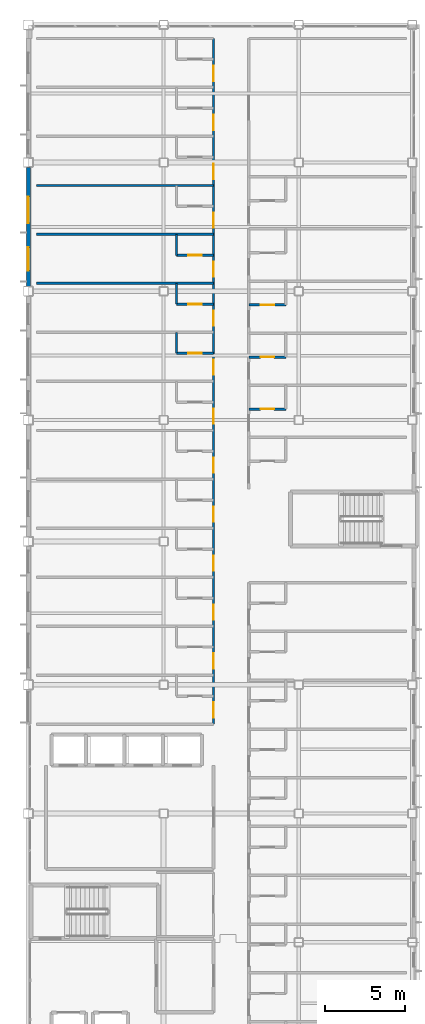
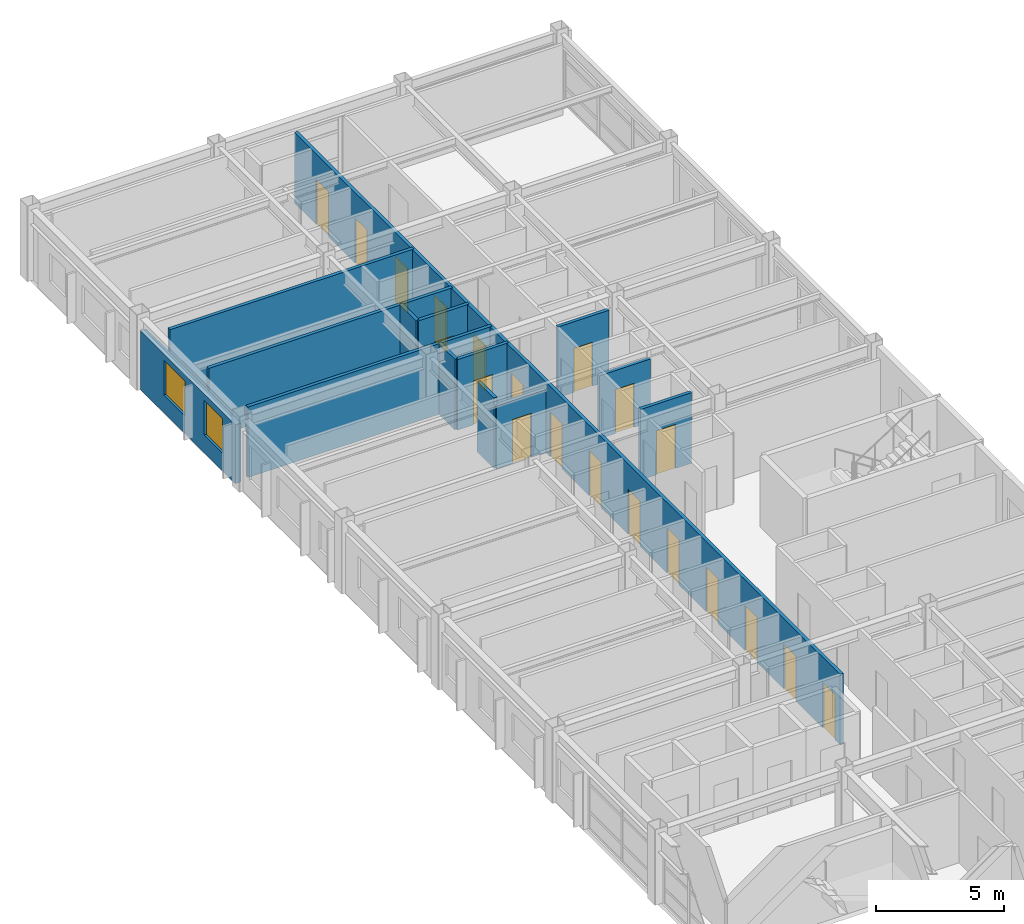
# One storey, part 31 of 38: 20 doors, 14 walls, 2 windows, 22 openings.
"""IFC4 building model written with IfcOpenShell, lengths in metres."""

import ifcopenshell
import ifcopenshell.guid

model = None  # the IFC model being written
_history = None  # IfcOwnerHistory: only IFC2X3 demands one
_inside = {}  # id of a spatial element -> (the spatial element, [elements in it])
_under = {}  # id of a project, library or spatial element -> (it, [spatial elements below it])
_declared = {}  # id of a project -> (the project, [libraries it declares])
_typed = {}  # id of a type object -> (the type object, [elements of that type])
_made_of = {}  # id of a material, layer set ... -> (it, [elements and type objects made of it])


def new_model(schema):
    """Start an empty IFC model of exactly this schema.

    Asked for "IFC4X3", IfcOpenShell would pick the latest addendum, in which some entities
    have other attributes; the version numbers below select the first issue.
    IFC2X3 requires an IfcOwnerHistory on every rooted entity: one is made here for all.
    """
    global model, _history
    if schema == "IFC4X3":
        model = ifcopenshell.file(schema_version=(4, 3, 0, 0))
    else:
        model = ifcopenshell.file(schema=schema)
    _inside.clear()
    _under.clear()
    _declared.clear()
    _typed.clear()
    _made_of.clear()
    _history = None
    if model.schema == "IFC2X3":
        org = make("IfcOrganization", Name="unknown")
        user = make(
            "IfcPersonAndOrganization",
            ThePerson=make("IfcPerson", FamilyName="unknown"),
            TheOrganization=org,
        )
        app = make(
            "IfcApplication",
            ApplicationDeveloper=org,
            Version="unknown",
            ApplicationFullName="unknown",
            ApplicationIdentifier="unknown",
        )
        _history = make(
            "IfcOwnerHistory",
            OwningUser=user,
            OwningApplication=app,
            ChangeAction="ADDED",
            CreationDate=0,
        )
    return model


def make(cls, **values):
    """One entity of the class cls with the attributes given. An attribute that is None is left unset."""
    return model.create_entity(
        cls, **{name: value for name, value in values.items() if value is not None}
    )


def rooted(cls, **values):
    """An entity with a GlobalId (a new one), such as an element, a storey or a relation."""
    return make(cls, GlobalId=ifcopenshell.guid.new(), OwnerHistory=_history, **values)


def si_unit(unit_type, name, prefix=None):
    """IfcSIUnit, for example si_unit("LENGTHUNIT", "METRE", prefix="MILLI")."""
    return make("IfcSIUnit", UnitType=unit_type, Prefix=prefix, Name=name)


def assignment(units):
    """IfcUnitAssignment: the units of a project."""
    return None if units is None else make("IfcUnitAssignment", Units=units)


def point(xyz):
    """IfcCartesianPoint."""
    return None if xyz is None else make("IfcCartesianPoint", Coordinates=xyz)


def direction(xyz):
    """IfcDirection."""
    return None if xyz is None else make("IfcDirection", DirectionRatios=xyz)


def frame(location, z_axis=None, x_axis=None):
    """IfcAxis2Placement3D, a coordinate frame: its origin and axes. An axis left out is left unset."""
    return make(
        "IfcAxis2Placement3D",
        Location=point(location),
        Axis=direction(z_axis),
        RefDirection=direction(x_axis),
    )


def frame_2d(location, x_axis=None):
    """IfcAxis2Placement2D, a coordinate frame in the plane: its origin and x axis."""
    return make(
        "IfcAxis2Placement2D", Location=point(location), RefDirection=direction(x_axis)
    )


def origin():
    """The frame at (0, 0, 0) with its axes left unset."""
    return frame((0.0, 0.0, 0.0))


def place(relative_to, where):
    """IfcLocalPlacement: puts the frame where relative to a parent placement (None: the world)."""
    return make(
        "IfcLocalPlacement", PlacementRelTo=relative_to, RelativePlacement=where
    )


def context(
    kind, dimensions, precision=None, world=None, true_north=None, identifier=None
):
    """IfcGeometricRepresentationContext, for example the 3D "Model" context."""
    return make(
        "IfcGeometricRepresentationContext",
        ContextIdentifier=identifier,
        ContextType=kind,
        CoordinateSpaceDimension=dimensions,
        Precision=precision,
        WorldCoordinateSystem=world,
        TrueNorth=true_north,
    )


def subcontext(parent, identifier, kind, view, scale=None):
    """IfcGeometricRepresentationSubContext, for example "Body" below "Model"."""
    return make(
        "IfcGeometricRepresentationSubContext",
        ContextIdentifier=identifier,
        ContextType=kind,
        ParentContext=parent,
        TargetScale=scale,
        TargetView=view,
    )


def project(units=None, contexts=None):
    """IfcProject with its units and contexts."""
    return rooted(
        "IfcProject",
        Name="project",
        RepresentationContexts=contexts,
        UnitsInContext=assignment(units),
    )


def spatial(cls, under=None, at=None, **own):
    """A site, building, storey or space (cls), placed at a placement, below another one or the project."""
    s = rooted(cls, ObjectPlacement=at, **own)
    if under is not None:
        _under.setdefault(under.id(), (under, []))[1].append(s)
    return s


def profile(cls, at=None, kind="AREA", **sizes):
    """A parametric profile (cls). Its sizes go by their IFC names, for example OverallWidth=200.0."""
    return make(cls, ProfileType=kind, Position=at, **sizes)


def rectangle(**sizes):
    """IfcRectangleProfileDef."""
    return profile("IfcRectangleProfileDef", **sizes)


def extrude(swept, where, along, depth):
    """IfcExtrudedAreaSolid: the profile swept, set in the frame where, extruded along a direction by depth."""
    return make(
        "IfcExtrudedAreaSolid",
        SweptArea=swept,
        Position=where,
        ExtrudedDirection=direction(along),
        Depth=depth,
    )


def shape(context_of_items, identifier, shape_type, items):
    """IfcShapeRepresentation: the items that make up one representation, for example the "Body"."""
    return make(
        "IfcShapeRepresentation",
        ContextOfItems=context_of_items,
        RepresentationIdentifier=identifier,
        RepresentationType=shape_type,
        Items=items,
    )


def material(Name=None, Category=None):
    """IfcMaterial."""
    return make("IfcMaterial", Name=Name, Category=Category)


def layer(
    of_material, thickness, ventilated=None, Name=None, Category=None, Priority=None
):
    """IfcMaterialLayer: one layer of a wall or slab, of a material (None: an air gap)."""
    return make(
        "IfcMaterialLayer",
        Material=of_material,
        LayerThickness=thickness,
        IsVentilated=ventilated,
        Name=Name,
        Category=Category,
        Priority=Priority,
    )


def layer_set(layers, Name=None):
    """IfcMaterialLayerSet."""
    return make("IfcMaterialLayerSet", MaterialLayers=layers, LayerSetName=Name)


def made_of(thing, what):
    """Note that an element or type object is made of a material, layer set ...; save() writes the relation."""
    if what is not None:
        _made_of.setdefault(what.id(), (what, []))[1].append(thing)
    return thing


def type_object(cls, material=None, **own):
    """A type object (cls), such as IfcWallType, which elements share."""
    return made_of(rooted(cls, **own), material)


def element(
    cls,
    number,
    at=None,
    inside=None,
    cuts=None,
    type_object=None,
    material=None,
    context=None,
    identifier="Body",
    shape_type=None,
    held_by="IfcProductDefinitionShape",
    body=None,
    shapes=None,
    **own,
):
    """One element of the class cls, such as IfcWall. Its Tag is "e" and its number.

    at: its placement. inside: the storey or other place that contains it. cuts: it is an
    opening in that element (IfcRelVoidsElement). A single representation is given by context,
    identifier, shape_type and body (its items); several are given by shapes. held_by: the class
    of the entity that holds the representations. save() writes the other relations.
    """
    e = rooted(cls, Tag="e%d" % number, ObjectPlacement=at, **own)
    if body is not None:
        shapes = [shape(context, identifier, shape_type, body)]
    if shapes is not None:
        e.Representation = make(held_by, Representations=shapes)
    if inside is not None:
        _inside.setdefault(inside.id(), (inside, []))[1].append(e)
    if cuts is not None:
        rooted(
            "IfcRelVoidsElement", RelatingBuildingElement=cuts, RelatedOpeningElement=e
        )
    if type_object is not None:
        _typed.setdefault(type_object.id(), (type_object, []))[1].append(e)
    return made_of(e, material)


def fill(opening, filler):
    """IfcRelFillsElement: the door or window that sits in an opening."""
    return rooted(
        "IfcRelFillsElement",
        RelatingOpeningElement=opening,
        RelatedBuildingElement=filler,
    )


def aggregate(whole, parts):
    """IfcRelAggregates: a whole, such as a stair, and the parts it consists of."""
    return rooted("IfcRelAggregates", RelatingObject=whole, RelatedObjects=parts)


def save(model, path):
    """Write the relations noted so far, then the file.

    IfcRelAggregates (storeys below a building ...), IfcRelContainedInSpatialStructure (elements
    in a storey), IfcRelDefinesByType, IfcRelAssociatesMaterial and IfcRelDeclares: one each for
    every whole, place, type object, material and project.
    """
    for whole, parts in _under.values():
        aggregate(whole, parts)
    for where, things in _inside.values():
        rooted(
            "IfcRelContainedInSpatialStructure",
            RelatedElements=things,
            RelatingStructure=where,
        )
    for kind, things in _typed.values():
        rooted("IfcRelDefinesByType", RelatedObjects=things, RelatingType=kind)
    for what, things in _made_of.values():
        rooted("IfcRelAssociatesMaterial", RelatedObjects=things, RelatingMaterial=what)
    for by, libraries in _declared.values():
        rooted("IfcRelDeclares", RelatingContext=by, RelatedDefinitions=libraries)
    model.write(path)


model = new_model("IFC4")

# Units and contexts
model_context = context("Model", 3, precision=1e-05, world=origin(), true_north=direction((0.0, 1.0)))
body_context = subcontext(model_context, "Body", "Model", "MODEL_VIEW")
ifc_project = project(units=[si_unit("LENGTHUNIT", "METRE"), si_unit("AREAUNIT", "SQUARE_METRE"), si_unit("VOLUMEUNIT", "CUBIC_METRE"), si_unit("PLANEANGLEUNIT", "RADIAN"), si_unit("MASSUNIT", "GRAM", prefix="KILO")], contexts=[model_context])

# Site, building, storey
site_placement = place(None, origin())
site = spatial("IfcSite", under=ifc_project, at=site_placement, CompositionType="ELEMENT")
building_placement = place(site_placement, origin())
building = spatial("IfcBuilding", under=site, at=building_placement, Name="Kazehara Bluff Congress Hotel", CompositionType="ELEMENT")
storey_placement = place(building_placement, frame((0.0, 0.0, 24.60009765625)))
storey = spatial("IfcBuildingStorey", under=building, at=storey_placement, Name="L05", CompositionType="ELEMENT", Elevation=24.60009765625)

# Wall, openings, windows
ifc_material_1 = material(Name="Precast concrete C40/50", Category="concrete")
ifc_layer_1 = layer(ifc_material_1, 0.260009765625)
ifc_layer_set_1 = layer_set([ifc_layer_1], Name="Precast concrete C40/50")
wall_type_1 = type_object("IfcWallType", Name="TP-EW-260", PredefinedType="SOLIDWALL", material=ifc_layer_set_1)
wall_1_placement = place(storey_placement, frame((143.699951171875, 89.199951171875, 0.0), z_axis=(0.0, 0.0, 1.0), x_axis=(0.0, 1.0, 0.0)))
wall_1 = element("IfcWall", 1, at=wall_1_placement, inside=storey, type_object=wall_type_1, Name="L05 hotel facade panel 64", PredefinedType="SOLIDWALL", context=body_context, shape_type="SweptSolid", body=[
    extrude(rectangle(XDim=7.400146484375, YDim=0.260009765625, at=frame_2d((3.7001953125, 0.0))), origin(), (0.0, 0.0, 1.0), 2.804931640625),
])
opening_1_placement = place(wall_1_placement, frame((0.97998046875, 0.0, 0.85009765625)))
opening_1 = element("IfcOpeningElement", 2, at=opening_1_placement, cuts=wall_1, Name="Opening WN-18", PredefinedType="OPENING", context=body_context, shape_type="SweptSolid", body=[
    extrude(rectangle(XDim=1.449951171875, YDim=1.64990234375, at=frame_2d((0.72509765625, 0.824951171875))), frame((0.0, 0.139892578125, 0.0), z_axis=(0.0, -1.0, 0.0), x_axis=(1.0, 0.0, 0.0)), (0.0, 0.0, 1.0), 0.280029296875),
])
opening_2_placement = place(wall_1_placement, frame((3.925048828125, 0.0, 0.85009765625)))
opening_2 = element("IfcOpeningElement", 3, at=opening_2_placement, cuts=wall_1, Name="Opening WN-28", PredefinedType="OPENING", context=body_context, shape_type="SweptSolid", body=[
    extrude(rectangle(XDim=1.64990234375, YDim=1.64990234375, at=frame_2d((0.824951171875, 0.824951171875))), frame((0.0, 0.139892578125, 0.0), z_axis=(0.0, -1.0, 0.0), x_axis=(1.0, 0.0, 0.0)), (0.0, 0.0, 1.0), 0.280029296875),
])
ifc_material_2 = material(Name="Insulated low-E double glazing", Category="glass")
window_type_1 = type_object("IfcWindowType", Name="TP-WN-18", PartitioningType="SINGLE_PANEL", PredefinedType="WINDOW", material=ifc_material_2)
window_1_placement = place(opening_1_placement, origin())
window_1 = element("IfcWindow", 4, at=window_1_placement, inside=storey, type_object=window_type_1, Name="L05 guestroom window WN-18 114", OverallHeight=1.64990234375, OverallWidth=1.449951171875, PartitioningType="SINGLE_PANEL", PredefinedType="WINDOW", context=body_context, shape_type="SweptSolid", body=[
    extrude(rectangle(XDim=1.449951171875, YDim=1.64990234375, at=frame_2d((0.72509765625, 0.824951171875))), frame((0.0, 0.030029296875, 0.0), z_axis=(0.0, -1.0, 0.0), x_axis=(1.0, 0.0, 0.0)), (0.0, 0.0, 1.0), 0.06005859375),
])
fill(opening_1, window_1)
ifc_material_3 = material(Name="Insulated low-E double glazing", Category="glass")
window_type_2 = type_object("IfcWindowType", Name="TP-WN-28", PartitioningType="SINGLE_PANEL", PredefinedType="WINDOW", material=ifc_material_3)
window_2_placement = place(opening_2_placement, origin())
window_2 = element("IfcWindow", 5, at=window_2_placement, inside=storey, type_object=window_type_2, Name="L05 guestroom window WN-28 115", OverallHeight=1.64990234375, OverallWidth=1.64990234375, PartitioningType="SINGLE_PANEL", PredefinedType="WINDOW", context=body_context, shape_type="SweptSolid", body=[
    extrude(rectangle(XDim=1.64990234375, YDim=1.64990234375, at=frame_2d((0.824951171875, 0.824951171875))), frame((0.0, 0.030029296875, 0.0), z_axis=(0.0, -1.0, 0.0), x_axis=(1.0, 0.0, 0.0)), (0.0, 0.0, 1.0), 0.06005859375),
])
fill(opening_2, window_2)

# Wall, opening, door
ifc_material_4 = material(Name="Fire-rated gypsum board stud partition")
ifc_layer_2 = layer(ifc_material_4, 0.14990234375)
ifc_layer_set_2 = layer_set([ifc_layer_2], Name="Fire-rated gypsum board stud partition")
wall_type_2 = type_object("IfcWallType", Name="TP-PT-150", PredefinedType="PARTITIONING", material=ifc_layer_set_2)
wall_2_placement = place(storey_placement, frame((157.39990234375, 81.580078125, 0.0), z_axis=(0.0, 0.0, 1.0), x_axis=(1.0, 0.0, 0.0)))
wall_2 = element("IfcWall", 6, at=wall_2_placement, inside=storey, type_object=wall_type_2, Name="L05 partition PT-150 596", PredefinedType="PARTITIONING", context=body_context, shape_type="SweptSolid", body=[
    extrude(rectangle(XDim=2.300048828125, YDim=0.14990234375, at=frame_2d((1.14990234375, 0.0))), origin(), (0.0, 0.0, 1.0), 3.364990234375),
])
opening_3_placement = place(wall_2_placement, frame((0.72509765625, 0.0, 0.0)))
opening_3 = element("IfcOpeningElement", 7, at=opening_3_placement, cuts=wall_2, Name="Opening BD-01", PredefinedType="OPENING", context=body_context, shape_type="SweptSolid", body=[
    extrude(rectangle(XDim=0.85009765625, YDim=2.10009765625, at=frame_2d((0.425048828125, 1.050048828125))), frame((0.0, 0.0849609375, 0.0), z_axis=(0.0, -1.0, 0.0), x_axis=(1.0, 0.0, 0.0)), (0.0, 0.0, 1.0), 0.169921875),
])
ifc_material_5 = material(Name="Architectural oak veneer leaf")
door_type_1 = type_object("IfcDoorType", Name="TP-BD-01", OperationType="NOTDEFINED", PredefinedType="DOOR", material=ifc_material_5)
door_1_placement = place(opening_3_placement, origin())
door_1 = element("IfcDoor", 8, at=door_1_placement, inside=storey, type_object=door_type_1, Name="L05 En-suite Bathroom 114 door", OperationType="SINGLE_SWING_RIGHT", OverallHeight=2.10009765625, OverallWidth=0.85009765625, PredefinedType="DOOR", context=body_context, shape_type="SweptSolid", body=[
    extrude(rectangle(XDim=0.85009765625, YDim=2.10009765625, at=frame_2d((0.425048828125, 1.050048828125))), frame((0.0, 0.02490234375, 0.0), z_axis=(0.0, -1.0, 0.0), x_axis=(1.0, 0.0, 0.0)), (0.0, 0.0, 1.0), 0.050048828125),
])
fill(opening_3, door_1)

wall_3_placement = place(storey_placement, frame((157.39990234375, 84.81005859375, 0.0), z_axis=(0.0, 0.0, 1.0), x_axis=(1.0, 0.0, 0.0)))
wall_3 = element("IfcWall", 9, at=wall_3_placement, inside=storey, type_object=wall_type_2, Name="L05 partition PT-150 600", PredefinedType="PARTITIONING", context=body_context, shape_type="SweptSolid", body=[
    extrude(rectangle(XDim=2.300048828125, YDim=0.14990234375, at=frame_2d((1.14990234375, 0.0))), origin(), (0.0, 0.0, 1.0), 3.0048828125),
])
opening_4_placement = place(wall_3_placement, frame((0.72509765625, 0.0, 0.0)))
opening_4 = element("IfcOpeningElement", 10, at=opening_4_placement, cuts=wall_3, Name="Opening BD-01", PredefinedType="OPENING", context=body_context, shape_type="SweptSolid", body=[
    extrude(rectangle(XDim=0.85009765625, YDim=2.10009765625, at=frame_2d((0.425048828125, 1.050048828125))), frame((0.0, 0.0849609375, 0.0), z_axis=(0.0, -1.0, 0.0), x_axis=(1.0, 0.0, 0.0)), (0.0, 0.0, 1.0), 0.169921875),
])
door_2_placement = place(opening_4_placement, origin())
door_2 = element("IfcDoor", 11, at=door_2_placement, inside=storey, type_object=door_type_1, Name="L05 En-suite Bathroom 115 door", OperationType="SINGLE_SWING_RIGHT", OverallHeight=2.10009765625, OverallWidth=0.85009765625, PredefinedType="DOOR", context=body_context, shape_type="SweptSolid", body=[
    extrude(rectangle(XDim=0.85009765625, YDim=2.10009765625, at=frame_2d((0.425048828125, 1.050048828125))), frame((0.0, 0.02490234375, 0.0), z_axis=(0.0, -1.0, 0.0), x_axis=(1.0, 0.0, 0.0)), (0.0, 0.0, 1.0), 0.050048828125),
])
fill(opening_4, door_2)

wall_4_placement = place(storey_placement, frame((152.89990234375, 85.050048828125, 0.0), z_axis=(0.0, 0.0, 1.0), x_axis=(1.0, 0.0, 0.0)))
wall_4 = element("IfcWall", 12, at=wall_4_placement, inside=storey, type_object=wall_type_2, Name="L05 partition PT-150 601", PredefinedType="PARTITIONING", context=body_context, shape_type="SweptSolid", body=[
    extrude(rectangle(XDim=2.300048828125, YDim=0.14990234375, at=frame_2d((1.14990234375, 0.0))), origin(), (0.0, 0.0, 1.0), 3.0048828125),
])
opening_5_placement = place(wall_4_placement, frame((0.72509765625, 0.0, 0.0)))
opening_5 = element("IfcOpeningElement", 13, at=opening_5_placement, cuts=wall_4, Name="Opening BD-01", PredefinedType="OPENING", context=body_context, shape_type="SweptSolid", body=[
    extrude(rectangle(XDim=0.85009765625, YDim=2.10009765625, at=frame_2d((0.425048828125, 1.050048828125))), frame((0.0, 0.0849609375, 0.0), z_axis=(0.0, -1.0, 0.0), x_axis=(1.0, 0.0, 0.0)), (0.0, 0.0, 1.0), 0.169921875),
])
door_3_placement = place(opening_5_placement, origin())
door_3 = element("IfcDoor", 14, at=door_3_placement, inside=storey, type_object=door_type_1, Name="L05 En-suite Bathroom 85 door", OperationType="SINGLE_SWING_RIGHT", OverallHeight=2.10009765625, OverallWidth=0.85009765625, PredefinedType="DOOR", context=body_context, shape_type="SweptSolid", body=[
    extrude(rectangle(XDim=0.85009765625, YDim=2.10009765625, at=frame_2d((0.425048828125, 1.050048828125))), frame((0.0, 0.02490234375, 0.0), z_axis=(0.0, -1.0, 0.0), x_axis=(1.0, 0.0, 0.0)), (0.0, 0.0, 1.0), 0.050048828125),
])
fill(opening_5, door_3)

wall_5_placement = place(storey_placement, frame((157.39990234375, 88.050048828125, 0.0), z_axis=(0.0, 0.0, 1.0), x_axis=(1.0, 0.0, 0.0)))
wall_5 = element("IfcWall", 15, at=wall_5_placement, inside=storey, type_object=wall_type_2, Name="L05 partition PT-150 604", PredefinedType="PARTITIONING", context=body_context, shape_type="SweptSolid", body=[
    extrude(rectangle(XDim=2.300048828125, YDim=0.14990234375, at=frame_2d((1.14990234375, 0.0))), origin(), (0.0, 0.0, 1.0), 3.364990234375),
])
opening_6_placement = place(wall_5_placement, frame((0.72509765625, 0.0, 0.0)))
opening_6 = element("IfcOpeningElement", 16, at=opening_6_placement, cuts=wall_5, Name="Opening BD-01", PredefinedType="OPENING", context=body_context, shape_type="SweptSolid", body=[
    extrude(rectangle(XDim=0.85009765625, YDim=2.10009765625, at=frame_2d((0.425048828125, 1.050048828125))), frame((0.0, 0.0849609375, 0.0), z_axis=(0.0, -1.0, 0.0), x_axis=(1.0, 0.0, 0.0)), (0.0, 0.0, 1.0), 0.169921875),
])
door_4_placement = place(opening_6_placement, origin())
door_4 = element("IfcDoor", 17, at=door_4_placement, inside=storey, type_object=door_type_1, Name="L05 En-suite Bathroom 116 door", OperationType="SINGLE_SWING_RIGHT", OverallHeight=2.10009765625, OverallWidth=0.85009765625, PredefinedType="DOOR", context=body_context, shape_type="SweptSolid", body=[
    extrude(rectangle(XDim=0.85009765625, YDim=2.10009765625, at=frame_2d((0.425048828125, 1.050048828125))), frame((0.0, 0.02490234375, 0.0), z_axis=(0.0, -1.0, 0.0), x_axis=(1.0, 0.0, 0.0)), (0.0, 0.0, 1.0), 0.050048828125),
])
fill(opening_6, door_4)

wall_6_placement = place(storey_placement, frame((152.89990234375, 88.090087890625, 0.0), z_axis=(0.0, 0.0, 1.0), x_axis=(1.0, 0.0, 0.0)))
wall_6 = element("IfcWall", 18, at=wall_6_placement, inside=storey, type_object=wall_type_2, Name="L05 partition PT-150 605", PredefinedType="PARTITIONING", context=body_context, shape_type="SweptSolid", body=[
    extrude(rectangle(XDim=2.300048828125, YDim=0.14990234375, at=frame_2d((1.14990234375, 0.0))), origin(), (0.0, 0.0, 1.0), 3.364990234375),
])
opening_7_placement = place(wall_6_placement, frame((0.72509765625, 0.0, 0.0)))
opening_7 = element("IfcOpeningElement", 19, at=opening_7_placement, cuts=wall_6, Name="Opening BD-01", PredefinedType="OPENING", context=body_context, shape_type="SweptSolid", body=[
    extrude(rectangle(XDim=0.85009765625, YDim=2.10009765625, at=frame_2d((0.425048828125, 1.050048828125))), frame((0.0, 0.0849609375, 0.0), z_axis=(0.0, -1.0, 0.0), x_axis=(1.0, 0.0, 0.0)), (0.0, 0.0, 1.0), 0.169921875),
])
door_5_placement = place(opening_7_placement, origin())
door_5 = element("IfcDoor", 20, at=door_5_placement, inside=storey, type_object=door_type_1, Name="L05 En-suite Bathroom 86 door", OperationType="SINGLE_SWING_RIGHT", OverallHeight=2.10009765625, OverallWidth=0.85009765625, PredefinedType="DOOR", context=body_context, shape_type="SweptSolid", body=[
    extrude(rectangle(XDim=0.85009765625, YDim=2.10009765625, at=frame_2d((0.425048828125, 1.050048828125))), frame((0.0, 0.02490234375, 0.0), z_axis=(0.0, -1.0, 0.0), x_axis=(1.0, 0.0, 0.0)), (0.0, 0.0, 1.0), 0.050048828125),
])
fill(opening_7, door_5)

# Wall
wall_7_placement = place(storey_placement, frame((144.199951171875, 89.389892578125, 0.0), z_axis=(0.0, 0.0, 1.0), x_axis=(1.0, 0.0, 0.0)))
element("IfcWall", 21, at=wall_7_placement, inside=storey, type_object=wall_type_2, Name="L05 partition PT-150 606", PredefinedType="PARTITIONING", context=body_context, shape_type="SweptSolid", body=[
    extrude(rectangle(XDim=11.0, YDim=0.14990234375, at=frame_2d((5.5, 0.0))), origin(), (0.0, 0.0, 1.0), 3.364990234375),
])

# Wall, opening, door
wall_8_placement = place(storey_placement, frame((152.89990234375, 91.139892578125, 0.0), z_axis=(0.0, 0.0, 1.0), x_axis=(1.0, 0.0, 0.0)))
wall_8 = element("IfcWall", 22, at=wall_8_placement, inside=storey, type_object=wall_type_2, Name="L05 partition PT-150 608", PredefinedType="PARTITIONING", context=body_context, shape_type="SweptSolid", body=[
    extrude(rectangle(XDim=2.300048828125, YDim=0.14990234375, at=frame_2d((1.14990234375, 0.0))), origin(), (0.0, 0.0, 1.0), 3.364990234375),
])
opening_8_placement = place(wall_8_placement, frame((0.72509765625, 0.0, 0.0)))
opening_8 = element("IfcOpeningElement", 23, at=opening_8_placement, cuts=wall_8, Name="Opening BD-01", PredefinedType="OPENING", context=body_context, shape_type="SweptSolid", body=[
    extrude(rectangle(XDim=0.85009765625, YDim=2.10009765625, at=frame_2d((0.425048828125, 1.050048828125))), frame((0.0, 0.0849609375, 0.0), z_axis=(0.0, -1.0, 0.0), x_axis=(1.0, 0.0, 0.0)), (0.0, 0.0, 1.0), 0.169921875),
])
door_6_placement = place(opening_8_placement, origin())
door_6 = element("IfcDoor", 24, at=door_6_placement, inside=storey, type_object=door_type_1, Name="L05 En-suite Bathroom 87 door", OperationType="SINGLE_SWING_RIGHT", OverallHeight=2.10009765625, OverallWidth=0.85009765625, PredefinedType="DOOR", context=body_context, shape_type="SweptSolid", body=[
    extrude(rectangle(XDim=0.85009765625, YDim=2.10009765625, at=frame_2d((0.425048828125, 1.050048828125))), frame((0.0, 0.02490234375, 0.0), z_axis=(0.0, -1.0, 0.0), x_axis=(1.0, 0.0, 0.0)), (0.0, 0.0, 1.0), 0.050048828125),
])
fill(opening_8, door_6)

# Walls
for number, where, z_axis, x_axis, name in (
    (25, (144.199951171875, 92.429931640625, 0.0), (0.0, 0.0, 1.0), (1.0, 0.0, 0.0), "L05 partition PT-150 610"),
    (26, (144.199951171875, 95.469970703125, 0.0), (0.0, 0.0, 1.0), (1.0, 0.0, 0.0), "L05 partition PT-150 614"),
):
    element("IfcWall", number, at=place(storey_placement, frame(where, z_axis=z_axis, x_axis=x_axis)), inside=storey, type_object=wall_type_2, Name=name, PredefinedType="PARTITIONING", context=body_context, shape_type="SweptSolid", body=[
        extrude(rectangle(XDim=11.0, YDim=0.14990234375, at=frame_2d((5.5, 0.0))), origin(), (0.0, 0.0, 1.0), 3.364990234375),
    ])
wall_9_placement = place(storey_placement, frame((152.89990234375, 85.050048828125, 0.0), z_axis=(0.0, 0.0, 1.0), x_axis=(0.0, 1.0, 0.0)))
element("IfcWall", 27, at=wall_9_placement, inside=storey, type_object=wall_type_2, Name="L05 partition PT-150 643", PredefinedType="PARTITIONING", context=body_context, shape_type="SweptSolid", body=[
    extrude(rectangle(XDim=1.294921875, YDim=0.14990234375, at=frame_2d((0.6474609375, 0.0))), origin(), (0.0, 0.0, 1.0), 3.364990234375),
])
wall_10_placement = place(storey_placement, frame((152.89990234375, 88.094970703125, 0.0), z_axis=(0.0, 0.0, 1.0), x_axis=(0.0, 1.0, 0.0)))
element("IfcWall", 28, at=wall_10_placement, inside=storey, type_object=wall_type_2, Name="L05 partition PT-150 644", PredefinedType="PARTITIONING", context=body_context, shape_type="SweptSolid", body=[
    extrude(rectangle(XDim=1.2900390625, YDim=0.14990234375, at=frame_2d((0.64501953125, 0.0))), origin(), (0.0, 0.0, 1.0), 3.364990234375),
])
wall_11_placement = place(storey_placement, frame((152.89990234375, 91.135009765625, 0.0), z_axis=(0.0, 0.0, 1.0), x_axis=(0.0, 1.0, 0.0)))
element("IfcWall", 29, at=wall_11_placement, inside=storey, type_object=wall_type_2, Name="L05 partition PT-150 645", PredefinedType="PARTITIONING", context=body_context, shape_type="SweptSolid", body=[
    extrude(rectangle(XDim=1.294921875, YDim=0.14990234375, at=frame_2d((0.6474609375, 0.0))), origin(), (0.0, 0.0, 1.0), 3.364990234375),
])

# Wall, openings, doors
wall_12_placement = place(storey_placement, frame((155.199951171875, 62.0, 0.0), z_axis=(0.0, 0.0, 1.0), x_axis=(0.0, 1.0, 0.0)))
wall_12 = element("IfcWall", 30, at=wall_12_placement, inside=storey, type_object=wall_type_2, Name="L05 partition PT-150 656", PredefinedType="PARTITIONING", context=body_context, shape_type="SweptSolid", body=[
    extrude(rectangle(XDim=42.60009765625, YDim=0.14990234375, at=frame_2d((21.300048828125, 0.0))), origin(), (0.0, 0.0, 1.0), 3.364990234375),
])
opening_9_placement = place(wall_12_placement, frame((0.39990234375, 0.0, 0.0)))
opening_9 = element("IfcOpeningElement", 31, at=opening_9_placement, cuts=wall_12, Name="Opening GD-01", PredefinedType="OPENING", context=body_context, shape_type="SweptSolid", body=[
    extrude(rectangle(XDim=0.949951171875, YDim=2.14990234375, at=frame_2d((0.47509765625, 1.074951171875))), frame((0.0, 0.0849609375, 0.0), z_axis=(0.0, -1.0, 0.0), x_axis=(1.0, 0.0, 0.0)), (0.0, 0.0, 1.0), 0.169921875),
])
opening_10_placement = place(wall_12_placement, frame((3.445068359375, 0.0, 0.0)))
opening_10 = element("IfcOpeningElement", 32, at=opening_10_placement, cuts=wall_12, Name="Opening GD-01", PredefinedType="OPENING", context=body_context, shape_type="SweptSolid", body=[
    extrude(rectangle(XDim=0.949951171875, YDim=2.14990234375, at=frame_2d((0.47509765625, 1.074951171875))), frame((0.0, 0.0849609375, 0.0), z_axis=(0.0, -1.0, 0.0), x_axis=(1.0, 0.0, 0.0)), (0.0, 0.0, 1.0), 0.169921875),
])
opening_11_placement = place(wall_12_placement, frame((6.485107421875, 0.0, 0.0)))
opening_11 = element("IfcOpeningElement", 33, at=opening_11_placement, cuts=wall_12, Name="Opening GD-01", PredefinedType="OPENING", context=body_context, shape_type="SweptSolid", body=[
    extrude(rectangle(XDim=0.949951171875, YDim=2.14990234375, at=frame_2d((0.47509765625, 1.074951171875))), frame((0.0, 0.0849609375, 0.0), z_axis=(0.0, -1.0, 0.0), x_axis=(1.0, 0.0, 0.0)), (0.0, 0.0, 1.0), 0.169921875),
])
opening_12_placement = place(wall_12_placement, frame((9.530029296875, 0.0, 0.0)))
opening_12 = element("IfcOpeningElement", 34, at=opening_12_placement, cuts=wall_12, Name="Opening GD-01", PredefinedType="OPENING", context=body_context, shape_type="SweptSolid", body=[
    extrude(rectangle(XDim=0.949951171875, YDim=2.14990234375, at=frame_2d((0.47509765625, 1.074951171875))), frame((0.0, 0.0849609375, 0.0), z_axis=(0.0, -1.0, 0.0), x_axis=(1.0, 0.0, 0.0)), (0.0, 0.0, 1.0), 0.169921875),
])
opening_13_placement = place(wall_12_placement, frame((12.570068359375, 0.0, 0.0)))
opening_13 = element("IfcOpeningElement", 35, at=opening_13_placement, cuts=wall_12, Name="Opening GD-01", PredefinedType="OPENING", context=body_context, shape_type="SweptSolid", body=[
    extrude(rectangle(XDim=0.949951171875, YDim=2.14990234375, at=frame_2d((0.47509765625, 1.074951171875))), frame((0.0, 0.0849609375, 0.0), z_axis=(0.0, -1.0, 0.0), x_axis=(1.0, 0.0, 0.0)), (0.0, 0.0, 1.0), 0.169921875),
])
opening_14_placement = place(wall_12_placement, frame((15.614990234375, 0.0, 0.0)))
opening_14 = element("IfcOpeningElement", 36, at=opening_14_placement, cuts=wall_12, Name="Opening GD-01", PredefinedType="OPENING", context=body_context, shape_type="SweptSolid", body=[
    extrude(rectangle(XDim=0.949951171875, YDim=2.14990234375, at=frame_2d((0.47509765625, 1.074951171875))), frame((0.0, 0.0849609375, 0.0), z_axis=(0.0, -1.0, 0.0), x_axis=(1.0, 0.0, 0.0)), (0.0, 0.0, 1.0), 0.169921875),
])
opening_15_placement = place(wall_12_placement, frame((18.655029296875, 0.0, 0.0)))
opening_15 = element("IfcOpeningElement", 37, at=opening_15_placement, cuts=wall_12, Name="Opening GD-01", PredefinedType="OPENING", context=body_context, shape_type="SweptSolid", body=[
    extrude(rectangle(XDim=0.949951171875, YDim=2.14990234375, at=frame_2d((0.47509765625, 1.074951171875))), frame((0.0, 0.0849609375, 0.0), z_axis=(0.0, -1.0, 0.0), x_axis=(1.0, 0.0, 0.0)), (0.0, 0.0, 1.0), 0.169921875),
])
opening_16_placement = place(wall_12_placement, frame((21.699951171875, 0.0, 0.0)))
opening_16 = element("IfcOpeningElement", 38, at=opening_16_placement, cuts=wall_12, Name="Opening GD-01", PredefinedType="OPENING", context=body_context, shape_type="SweptSolid", body=[
    extrude(rectangle(XDim=0.949951171875, YDim=2.14990234375, at=frame_2d((0.47509765625, 1.074951171875))), frame((0.0, 0.0849609375, 0.0), z_axis=(0.0, -1.0, 0.0), x_axis=(1.0, 0.0, 0.0)), (0.0, 0.0, 1.0), 0.169921875),
])
opening_17_placement = place(wall_12_placement, frame((24.7451171875, 0.0, 0.0)))
opening_17 = element("IfcOpeningElement", 39, at=opening_17_placement, cuts=wall_12, Name="Opening GD-01", PredefinedType="OPENING", context=body_context, shape_type="SweptSolid", body=[
    extrude(rectangle(XDim=0.949951171875, YDim=2.14990234375, at=frame_2d((0.47509765625, 1.074951171875))), frame((0.0, 0.0849609375, 0.0), z_axis=(0.0, -1.0, 0.0), x_axis=(1.0, 0.0, 0.0)), (0.0, 0.0, 1.0), 0.169921875),
])
opening_18_placement = place(wall_12_placement, frame((27.784912109375, 0.0, 0.0)))
opening_18 = element("IfcOpeningElement", 40, at=opening_18_placement, cuts=wall_12, Name="Opening GD-01", PredefinedType="OPENING", context=body_context, shape_type="SweptSolid", body=[
    extrude(rectangle(XDim=0.949951171875, YDim=2.14990234375, at=frame_2d((0.47509765625, 1.074951171875))), frame((0.0, 0.0849609375, 0.0), z_axis=(0.0, -1.0, 0.0), x_axis=(1.0, 0.0, 0.0)), (0.0, 0.0, 1.0), 0.169921875),
])
opening_19_placement = place(wall_12_placement, frame((30.830078125, 0.0, 0.0)))
opening_19 = element("IfcOpeningElement", 41, at=opening_19_placement, cuts=wall_12, Name="Opening GD-01", PredefinedType="OPENING", context=body_context, shape_type="SweptSolid", body=[
    extrude(rectangle(XDim=0.949951171875, YDim=2.14990234375, at=frame_2d((0.47509765625, 1.074951171875))), frame((0.0, 0.0849609375, 0.0), z_axis=(0.0, -1.0, 0.0), x_axis=(1.0, 0.0, 0.0)), (0.0, 0.0, 1.0), 0.169921875),
])
opening_20_placement = place(wall_12_placement, frame((33.8701171875, 0.0, 0.0)))
opening_20 = element("IfcOpeningElement", 42, at=opening_20_placement, cuts=wall_12, Name="Opening GD-01", PredefinedType="OPENING", context=body_context, shape_type="SweptSolid", body=[
    extrude(rectangle(XDim=0.949951171875, YDim=2.14990234375, at=frame_2d((0.47509765625, 1.074951171875))), frame((0.0, 0.0849609375, 0.0), z_axis=(0.0, -1.0, 0.0), x_axis=(1.0, 0.0, 0.0)), (0.0, 0.0, 1.0), 0.169921875),
])
opening_21_placement = place(wall_12_placement, frame((36.9150390625, 0.0, 0.0)))
opening_21 = element("IfcOpeningElement", 43, at=opening_21_placement, cuts=wall_12, Name="Opening GD-01", PredefinedType="OPENING", context=body_context, shape_type="SweptSolid", body=[
    extrude(rectangle(XDim=0.949951171875, YDim=2.14990234375, at=frame_2d((0.47509765625, 1.074951171875))), frame((0.0, 0.0849609375, 0.0), z_axis=(0.0, -1.0, 0.0), x_axis=(1.0, 0.0, 0.0)), (0.0, 0.0, 1.0), 0.169921875),
])
opening_22_placement = place(wall_12_placement, frame((39.955078125, 0.0, 0.0)))
opening_22 = element("IfcOpeningElement", 44, at=opening_22_placement, cuts=wall_12, Name="Opening GD-01", PredefinedType="OPENING", context=body_context, shape_type="SweptSolid", body=[
    extrude(rectangle(XDim=0.949951171875, YDim=2.14990234375, at=frame_2d((0.47509765625, 1.074951171875))), frame((0.0, 0.0849609375, 0.0), z_axis=(0.0, -1.0, 0.0), x_axis=(1.0, 0.0, 0.0)), (0.0, 0.0, 1.0), 0.169921875),
])
ifc_material_6 = material(Name="Architectural oak veneer leaf")
door_type_2 = type_object("IfcDoorType", Name="TP-GD-01", OperationType="NOTDEFINED", PredefinedType="DOOR", material=ifc_material_6)
door_7_placement = place(opening_9_placement, origin())
door_7 = element("IfcDoor", 45, at=door_7_placement, inside=storey, type_object=door_type_2, Name="L05 Deluxe Twin Guest Room 78 door", OperationType="SINGLE_SWING_LEFT", OverallHeight=2.14990234375, OverallWidth=0.949951171875, PredefinedType="DOOR", context=body_context, shape_type="SweptSolid", body=[
    extrude(rectangle(XDim=0.949951171875, YDim=2.14990234375, at=frame_2d((0.47509765625, 1.074951171875))), frame((0.0, 0.02490234375, 0.0), z_axis=(0.0, -1.0, 0.0), x_axis=(1.0, 0.0, 0.0)), (0.0, 0.0, 1.0), 0.050048828125),
])
fill(opening_9, door_7)
door_8_placement = place(opening_10_placement, origin())
door_8 = element("IfcDoor", 46, at=door_8_placement, inside=storey, type_object=door_type_2, Name="L05 Standard King Guest Room 79 door", OperationType="SINGLE_SWING_LEFT", OverallHeight=2.14990234375, OverallWidth=0.949951171875, PredefinedType="DOOR", context=body_context, shape_type="SweptSolid", body=[
    extrude(rectangle(XDim=0.949951171875, YDim=2.14990234375, at=frame_2d((0.47509765625, 1.074951171875))), frame((0.0, 0.02490234375, 0.0), z_axis=(0.0, -1.0, 0.0), x_axis=(1.0, 0.0, 0.0)), (0.0, 0.0, 1.0), 0.050048828125),
])
fill(opening_10, door_8)
door_9_placement = place(opening_11_placement, origin())
door_9 = element("IfcDoor", 47, at=door_9_placement, inside=storey, type_object=door_type_2, Name="L05 Deluxe Twin Guest Room 80 door", OperationType="SINGLE_SWING_LEFT", OverallHeight=2.14990234375, OverallWidth=0.949951171875, PredefinedType="DOOR", context=body_context, shape_type="SweptSolid", body=[
    extrude(rectangle(XDim=0.949951171875, YDim=2.14990234375, at=frame_2d((0.47509765625, 1.074951171875))), frame((0.0, 0.02490234375, 0.0), z_axis=(0.0, -1.0, 0.0), x_axis=(1.0, 0.0, 0.0)), (0.0, 0.0, 1.0), 0.050048828125),
])
fill(opening_11, door_9)
door_10_placement = place(opening_12_placement, origin())
door_10 = element("IfcDoor", 48, at=door_10_placement, inside=storey, type_object=door_type_2, Name="L05 Standard King Guest Room 81 door", OperationType="SINGLE_SWING_LEFT", OverallHeight=2.14990234375, OverallWidth=0.949951171875, PredefinedType="DOOR", context=body_context, shape_type="SweptSolid", body=[
    extrude(rectangle(XDim=0.949951171875, YDim=2.14990234375, at=frame_2d((0.47509765625, 1.074951171875))), frame((0.0, 0.02490234375, 0.0), z_axis=(0.0, -1.0, 0.0), x_axis=(1.0, 0.0, 0.0)), (0.0, 0.0, 1.0), 0.050048828125),
])
fill(opening_12, door_10)
door_11_placement = place(opening_13_placement, origin())
door_11 = element("IfcDoor", 49, at=door_11_placement, inside=storey, type_object=door_type_2, Name="L05 Deluxe Twin Guest Room 82 door", OperationType="SINGLE_SWING_LEFT", OverallHeight=2.14990234375, OverallWidth=0.949951171875, PredefinedType="DOOR", context=body_context, shape_type="SweptSolid", body=[
    extrude(rectangle(XDim=0.949951171875, YDim=2.14990234375, at=frame_2d((0.47509765625, 1.074951171875))), frame((0.0, 0.02490234375, 0.0), z_axis=(0.0, -1.0, 0.0), x_axis=(1.0, 0.0, 0.0)), (0.0, 0.0, 1.0), 0.050048828125),
])
fill(opening_13, door_11)
door_12_placement = place(opening_14_placement, origin())
door_12 = element("IfcDoor", 50, at=door_12_placement, inside=storey, type_object=door_type_2, Name="L05 Standard King Guest Room 83 door", OperationType="SINGLE_SWING_LEFT", OverallHeight=2.14990234375, OverallWidth=0.949951171875, PredefinedType="DOOR", context=body_context, shape_type="SweptSolid", body=[
    extrude(rectangle(XDim=0.949951171875, YDim=2.14990234375, at=frame_2d((0.47509765625, 1.074951171875))), frame((0.0, 0.02490234375, 0.0), z_axis=(0.0, -1.0, 0.0), x_axis=(1.0, 0.0, 0.0)), (0.0, 0.0, 1.0), 0.050048828125),
])
fill(opening_14, door_12)
door_13_placement = place(opening_15_placement, origin())
door_13 = element("IfcDoor", 51, at=door_13_placement, inside=storey, type_object=door_type_2, Name="L05 Deluxe Twin Guest Room 84 door", OperationType="SINGLE_SWING_LEFT", OverallHeight=2.14990234375, OverallWidth=0.949951171875, PredefinedType="DOOR", context=body_context, shape_type="SweptSolid", body=[
    extrude(rectangle(XDim=0.949951171875, YDim=2.14990234375, at=frame_2d((0.47509765625, 1.074951171875))), frame((0.0, 0.02490234375, 0.0), z_axis=(0.0, -1.0, 0.0), x_axis=(1.0, 0.0, 0.0)), (0.0, 0.0, 1.0), 0.050048828125),
])
fill(opening_15, door_13)
door_14_placement = place(opening_16_placement, origin())
door_14 = element("IfcDoor", 52, at=door_14_placement, inside=storey, type_object=door_type_2, Name="L05 Standard King Guest Room 85 door", OperationType="SINGLE_SWING_LEFT", OverallHeight=2.14990234375, OverallWidth=0.949951171875, PredefinedType="DOOR", context=body_context, shape_type="SweptSolid", body=[
    extrude(rectangle(XDim=0.949951171875, YDim=2.14990234375, at=frame_2d((0.47509765625, 1.074951171875))), frame((0.0, 0.02490234375, 0.0), z_axis=(0.0, -1.0, 0.0), x_axis=(1.0, 0.0, 0.0)), (0.0, 0.0, 1.0), 0.050048828125),
])
fill(opening_16, door_14)
door_15_placement = place(opening_17_placement, origin())
door_15 = element("IfcDoor", 53, at=door_15_placement, inside=storey, type_object=door_type_2, Name="L05 Deluxe Twin Guest Room 86 door", OperationType="SINGLE_SWING_LEFT", OverallHeight=2.14990234375, OverallWidth=0.949951171875, PredefinedType="DOOR", context=body_context, shape_type="SweptSolid", body=[
    extrude(rectangle(XDim=0.949951171875, YDim=2.14990234375, at=frame_2d((0.47509765625, 1.074951171875))), frame((0.0, 0.02490234375, 0.0), z_axis=(0.0, -1.0, 0.0), x_axis=(1.0, 0.0, 0.0)), (0.0, 0.0, 1.0), 0.050048828125),
])
fill(opening_17, door_15)
door_16_placement = place(opening_18_placement, origin())
door_16 = element("IfcDoor", 54, at=door_16_placement, inside=storey, type_object=door_type_2, Name="L05 Standard King Guest Room 87 door", OperationType="SINGLE_SWING_LEFT", OverallHeight=2.14990234375, OverallWidth=0.949951171875, PredefinedType="DOOR", context=body_context, shape_type="SweptSolid", body=[
    extrude(rectangle(XDim=0.949951171875, YDim=2.14990234375, at=frame_2d((0.47509765625, 1.074951171875))), frame((0.0, 0.02490234375, 0.0), z_axis=(0.0, -1.0, 0.0), x_axis=(1.0, 0.0, 0.0)), (0.0, 0.0, 1.0), 0.050048828125),
])
fill(opening_18, door_16)
door_17_placement = place(opening_19_placement, origin())
door_17 = element("IfcDoor", 55, at=door_17_placement, inside=storey, type_object=door_type_2, Name="L05 Deluxe Twin Guest Room 88 door", OperationType="SINGLE_SWING_LEFT", OverallHeight=2.14990234375, OverallWidth=0.949951171875, PredefinedType="DOOR", context=body_context, shape_type="SweptSolid", body=[
    extrude(rectangle(XDim=0.949951171875, YDim=2.14990234375, at=frame_2d((0.47509765625, 1.074951171875))), frame((0.0, 0.02490234375, 0.0), z_axis=(0.0, -1.0, 0.0), x_axis=(1.0, 0.0, 0.0)), (0.0, 0.0, 1.0), 0.050048828125),
])
fill(opening_19, door_17)
door_18_placement = place(opening_20_placement, origin())
door_18 = element("IfcDoor", 56, at=door_18_placement, inside=storey, type_object=door_type_2, Name="L05 Standard King Guest Room 89 door", OperationType="SINGLE_SWING_LEFT", OverallHeight=2.14990234375, OverallWidth=0.949951171875, PredefinedType="DOOR", context=body_context, shape_type="SweptSolid", body=[
    extrude(rectangle(XDim=0.949951171875, YDim=2.14990234375, at=frame_2d((0.47509765625, 1.074951171875))), frame((0.0, 0.02490234375, 0.0), z_axis=(0.0, -1.0, 0.0), x_axis=(1.0, 0.0, 0.0)), (0.0, 0.0, 1.0), 0.050048828125),
])
fill(opening_20, door_18)
door_19_placement = place(opening_21_placement, origin())
door_19 = element("IfcDoor", 57, at=door_19_placement, inside=storey, type_object=door_type_2, Name="L05 Deluxe Twin Guest Room 90 door", OperationType="SINGLE_SWING_LEFT", OverallHeight=2.14990234375, OverallWidth=0.949951171875, PredefinedType="DOOR", context=body_context, shape_type="SweptSolid", body=[
    extrude(rectangle(XDim=0.949951171875, YDim=2.14990234375, at=frame_2d((0.47509765625, 1.074951171875))), frame((0.0, 0.02490234375, 0.0), z_axis=(0.0, -1.0, 0.0), x_axis=(1.0, 0.0, 0.0)), (0.0, 0.0, 1.0), 0.050048828125),
])
fill(opening_21, door_19)
door_20_placement = place(opening_22_placement, origin())
door_20 = element("IfcDoor", 58, at=door_20_placement, inside=storey, type_object=door_type_2, Name="L05 Standard King Guest Room 91 door", OperationType="SINGLE_SWING_LEFT", OverallHeight=2.14990234375, OverallWidth=0.949951171875, PredefinedType="DOOR", context=body_context, shape_type="SweptSolid", body=[
    extrude(rectangle(XDim=0.949951171875, YDim=2.14990234375, at=frame_2d((0.47509765625, 1.074951171875))), frame((0.0, 0.02490234375, 0.0), z_axis=(0.0, -1.0, 0.0), x_axis=(1.0, 0.0, 0.0)), (0.0, 0.0, 1.0), 0.050048828125),
])
fill(opening_22, door_20)

save(model, "model.ifc")
